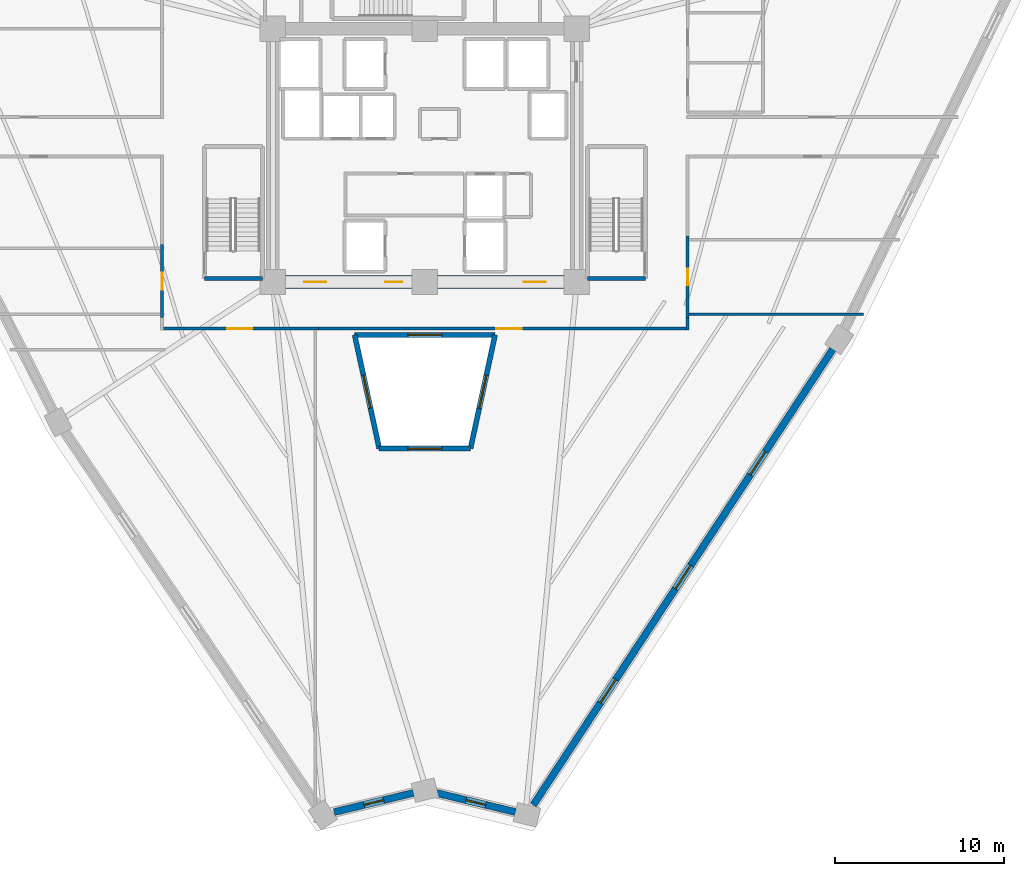
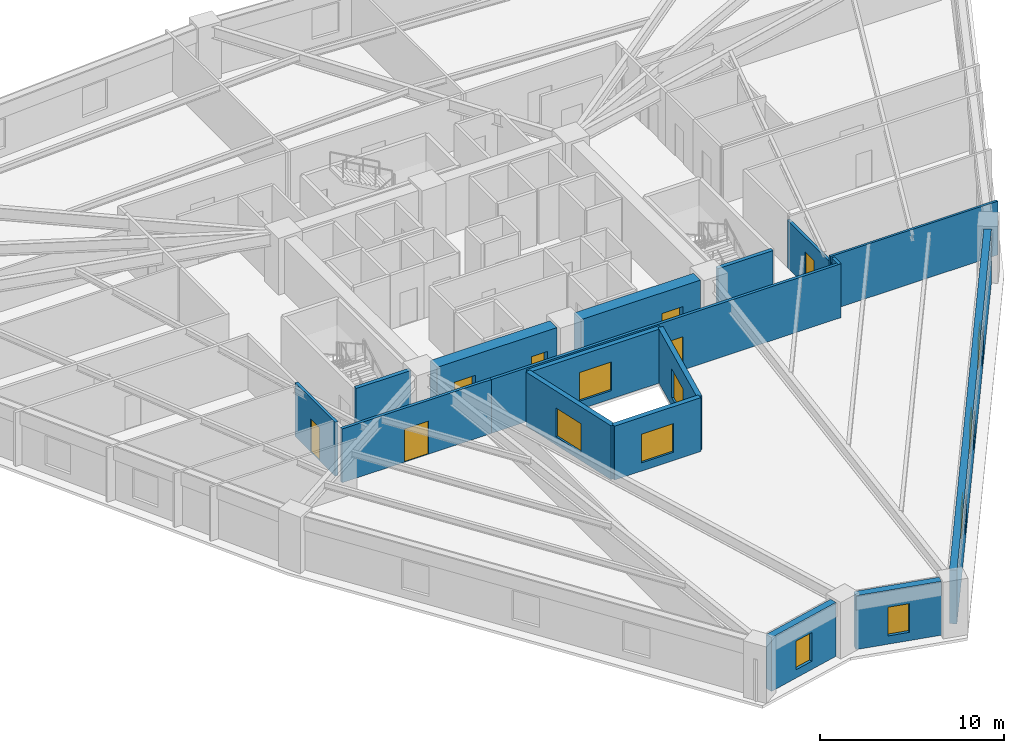
# One storey, part 3 of 8: 17 walls, 9 windows, 7 doors, 16 openings.
"""IFC4 building model written with IfcOpenShell, lengths in metres."""

import ifcopenshell
import ifcopenshell.guid

model = None  # the IFC model being written
_history = None  # IfcOwnerHistory: only IFC2X3 demands one
_inside = {}  # id of a spatial element -> (the spatial element, [elements in it])
_under = {}  # id of a project, library or spatial element -> (it, [spatial elements below it])
_declared = {}  # id of a project -> (the project, [libraries it declares])
_typed = {}  # id of a type object -> (the type object, [elements of that type])
_made_of = {}  # id of a material, layer set ... -> (it, [elements and type objects made of it])


def new_model(schema):
    """Start an empty IFC model of exactly this schema.

    Asked for "IFC4X3", IfcOpenShell would pick the latest addendum, in which some entities
    have other attributes; the version numbers below select the first issue.
    IFC2X3 requires an IfcOwnerHistory on every rooted entity: one is made here for all.
    """
    global model, _history
    if schema == "IFC4X3":
        model = ifcopenshell.file(schema_version=(4, 3, 0, 0))
    else:
        model = ifcopenshell.file(schema=schema)
    _inside.clear()
    _under.clear()
    _declared.clear()
    _typed.clear()
    _made_of.clear()
    _history = None
    if model.schema == "IFC2X3":
        org = make("IfcOrganization", Name="unknown")
        user = make(
            "IfcPersonAndOrganization",
            ThePerson=make("IfcPerson", FamilyName="unknown"),
            TheOrganization=org,
        )
        app = make(
            "IfcApplication",
            ApplicationDeveloper=org,
            Version="unknown",
            ApplicationFullName="unknown",
            ApplicationIdentifier="unknown",
        )
        _history = make(
            "IfcOwnerHistory",
            OwningUser=user,
            OwningApplication=app,
            ChangeAction="ADDED",
            CreationDate=0,
        )
    return model


def make(cls, **values):
    """One entity of the class cls with the attributes given. An attribute that is None is left unset."""
    return model.create_entity(
        cls, **{name: value for name, value in values.items() if value is not None}
    )


def rooted(cls, **values):
    """An entity with a GlobalId (a new one), such as an element, a storey or a relation."""
    return make(cls, GlobalId=ifcopenshell.guid.new(), OwnerHistory=_history, **values)


def si_unit(unit_type, name, prefix=None):
    """IfcSIUnit, for example si_unit("LENGTHUNIT", "METRE", prefix="MILLI")."""
    return make("IfcSIUnit", UnitType=unit_type, Prefix=prefix, Name=name)


def assignment(units):
    """IfcUnitAssignment: the units of a project."""
    return None if units is None else make("IfcUnitAssignment", Units=units)


def point(xyz):
    """IfcCartesianPoint."""
    return None if xyz is None else make("IfcCartesianPoint", Coordinates=xyz)


def direction(xyz):
    """IfcDirection."""
    return None if xyz is None else make("IfcDirection", DirectionRatios=xyz)


def frame(location, z_axis=None, x_axis=None):
    """IfcAxis2Placement3D, a coordinate frame: its origin and axes. An axis left out is left unset."""
    return make(
        "IfcAxis2Placement3D",
        Location=point(location),
        Axis=direction(z_axis),
        RefDirection=direction(x_axis),
    )


def frame_2d(location, x_axis=None):
    """IfcAxis2Placement2D, a coordinate frame in the plane: its origin and x axis."""
    return make(
        "IfcAxis2Placement2D", Location=point(location), RefDirection=direction(x_axis)
    )


def origin():
    """The frame at (0, 0, 0) with its axes left unset."""
    return frame((0.0, 0.0, 0.0))


def place(relative_to, where):
    """IfcLocalPlacement: puts the frame where relative to a parent placement (None: the world)."""
    return make(
        "IfcLocalPlacement", PlacementRelTo=relative_to, RelativePlacement=where
    )


def context(
    kind, dimensions, precision=None, world=None, true_north=None, identifier=None
):
    """IfcGeometricRepresentationContext, for example the 3D "Model" context."""
    return make(
        "IfcGeometricRepresentationContext",
        ContextIdentifier=identifier,
        ContextType=kind,
        CoordinateSpaceDimension=dimensions,
        Precision=precision,
        WorldCoordinateSystem=world,
        TrueNorth=true_north,
    )


def subcontext(parent, identifier, kind, view, scale=None):
    """IfcGeometricRepresentationSubContext, for example "Body" below "Model"."""
    return make(
        "IfcGeometricRepresentationSubContext",
        ContextIdentifier=identifier,
        ContextType=kind,
        ParentContext=parent,
        TargetScale=scale,
        TargetView=view,
    )


def project(units=None, contexts=None):
    """IfcProject with its units and contexts."""
    return rooted(
        "IfcProject",
        Name="project",
        RepresentationContexts=contexts,
        UnitsInContext=assignment(units),
    )


def spatial(cls, under=None, at=None, **own):
    """A site, building, storey or space (cls), placed at a placement, below another one or the project."""
    s = rooted(cls, ObjectPlacement=at, **own)
    if under is not None:
        _under.setdefault(under.id(), (under, []))[1].append(s)
    return s


def profile(cls, at=None, kind="AREA", **sizes):
    """A parametric profile (cls). Its sizes go by their IFC names, for example OverallWidth=200.0."""
    return make(cls, ProfileType=kind, Position=at, **sizes)


def rectangle(**sizes):
    """IfcRectangleProfileDef."""
    return profile("IfcRectangleProfileDef", **sizes)


def extrude(swept, where, along, depth):
    """IfcExtrudedAreaSolid: the profile swept, set in the frame where, extruded along a direction by depth."""
    return make(
        "IfcExtrudedAreaSolid",
        SweptArea=swept,
        Position=where,
        ExtrudedDirection=direction(along),
        Depth=depth,
    )


def shape(context_of_items, identifier, shape_type, items):
    """IfcShapeRepresentation: the items that make up one representation, for example the "Body"."""
    return make(
        "IfcShapeRepresentation",
        ContextOfItems=context_of_items,
        RepresentationIdentifier=identifier,
        RepresentationType=shape_type,
        Items=items,
    )


def source(mapping_origin, context_of_items, identifier, shape_type, items):
    """IfcRepresentationMap: a shape defined once, which mapped items show again and again."""
    return make(
        "IfcRepresentationMap",
        MappingOrigin=mapping_origin,
        MappedRepresentation=shape(context_of_items, identifier, shape_type, items),
    )


def transform(
    local_origin,
    x_axis=None,
    y_axis=None,
    z_axis=None,
    scale=None,
    scale2=None,
    scale3=None,
    uniform=True,
):
    """IfcCartesianTransformationOperator3D, or its non-uniform kind. x_axis, y_axis, z_axis: its Axis1, 2, 3."""
    if uniform:
        return make(
            "IfcCartesianTransformationOperator3D",
            Axis1=direction(x_axis),
            Axis2=direction(y_axis),
            LocalOrigin=point(local_origin),
            Scale=scale,
            Axis3=direction(z_axis),
        )
    return make(
        "IfcCartesianTransformationOperator3DnonUniform",
        Axis1=direction(x_axis),
        Axis2=direction(y_axis),
        LocalOrigin=point(local_origin),
        Scale=scale,
        Axis3=direction(z_axis),
        Scale2=scale2,
        Scale3=scale3,
    )


def mapped(mapping_source, mapping_target):
    """IfcMappedItem: shows the shape of a source again, moved by a transform."""
    return make(
        "IfcMappedItem", MappingSource=mapping_source, MappingTarget=mapping_target
    )


def material(Name=None, Category=None):
    """IfcMaterial."""
    return make("IfcMaterial", Name=Name, Category=Category)


def layer(
    of_material, thickness, ventilated=None, Name=None, Category=None, Priority=None
):
    """IfcMaterialLayer: one layer of a wall or slab, of a material (None: an air gap)."""
    return make(
        "IfcMaterialLayer",
        Material=of_material,
        LayerThickness=thickness,
        IsVentilated=ventilated,
        Name=Name,
        Category=Category,
        Priority=Priority,
    )


def layer_set(layers, Name=None):
    """IfcMaterialLayerSet."""
    return make("IfcMaterialLayerSet", MaterialLayers=layers, LayerSetName=Name)


def made_of(thing, what):
    """Note that an element or type object is made of a material, layer set ...; save() writes the relation."""
    if what is not None:
        _made_of.setdefault(what.id(), (what, []))[1].append(thing)
    return thing


def type_object(cls, material=None, **own):
    """A type object (cls), such as IfcWallType, which elements share."""
    return made_of(rooted(cls, **own), material)


def element(
    cls,
    number,
    at=None,
    inside=None,
    cuts=None,
    type_object=None,
    material=None,
    context=None,
    identifier="Body",
    shape_type=None,
    held_by="IfcProductDefinitionShape",
    body=None,
    shapes=None,
    **own,
):
    """One element of the class cls, such as IfcWall. Its Tag is "e" and its number.

    at: its placement. inside: the storey or other place that contains it. cuts: it is an
    opening in that element (IfcRelVoidsElement). A single representation is given by context,
    identifier, shape_type and body (its items); several are given by shapes. held_by: the class
    of the entity that holds the representations. save() writes the other relations.
    """
    e = rooted(cls, Tag="e%d" % number, ObjectPlacement=at, **own)
    if body is not None:
        shapes = [shape(context, identifier, shape_type, body)]
    if shapes is not None:
        e.Representation = make(held_by, Representations=shapes)
    if inside is not None:
        _inside.setdefault(inside.id(), (inside, []))[1].append(e)
    if cuts is not None:
        rooted(
            "IfcRelVoidsElement", RelatingBuildingElement=cuts, RelatedOpeningElement=e
        )
    if type_object is not None:
        _typed.setdefault(type_object.id(), (type_object, []))[1].append(e)
    return made_of(e, material)


def fill(opening, filler):
    """IfcRelFillsElement: the door or window that sits in an opening."""
    return rooted(
        "IfcRelFillsElement",
        RelatingOpeningElement=opening,
        RelatedBuildingElement=filler,
    )


def aggregate(whole, parts):
    """IfcRelAggregates: a whole, such as a stair, and the parts it consists of."""
    return rooted("IfcRelAggregates", RelatingObject=whole, RelatedObjects=parts)


def save(model, path):
    """Write the relations noted so far, then the file.

    IfcRelAggregates (storeys below a building ...), IfcRelContainedInSpatialStructure (elements
    in a storey), IfcRelDefinesByType, IfcRelAssociatesMaterial and IfcRelDeclares: one each for
    every whole, place, type object, material and project.
    """
    for whole, parts in _under.values():
        aggregate(whole, parts)
    for where, things in _inside.values():
        rooted(
            "IfcRelContainedInSpatialStructure",
            RelatedElements=things,
            RelatingStructure=where,
        )
    for kind, things in _typed.values():
        rooted("IfcRelDefinesByType", RelatedObjects=things, RelatingType=kind)
    for what, things in _made_of.values():
        rooted("IfcRelAssociatesMaterial", RelatedObjects=things, RelatingMaterial=what)
    for by, libraries in _declared.values():
        rooted("IfcRelDeclares", RelatingContext=by, RelatedDefinitions=libraries)
    model.write(path)


model = new_model("IFC4")

# Units and contexts
model_context = context("Model", 3, precision=1e-05, world=origin(), true_north=direction((0.0, 1.0)))
body_context = subcontext(model_context, "Body", "Model", "MODEL_VIEW")
ifc_project = project(units=[si_unit("LENGTHUNIT", "METRE"), si_unit("AREAUNIT", "SQUARE_METRE"), si_unit("VOLUMEUNIT", "CUBIC_METRE"), si_unit("PLANEANGLEUNIT", "RADIAN"), si_unit("MASSUNIT", "GRAM", prefix="KILO")], contexts=[model_context])

# Site, building, storey
site_placement = place(None, origin())
site = spatial("IfcSite", under=ifc_project, at=site_placement, CompositionType="ELEMENT")
building_placement = place(site_placement, origin())
building = spatial("IfcBuilding", under=site, at=building_placement, Name="Liaohun Quay Tower", CompositionType="ELEMENT")
storey_placement = place(building_placement, frame((0.0, 0.0, 109.5)))
storey = spatial("IfcBuildingStorey", under=building, at=storey_placement, Name="L28", CompositionType="ELEMENT", Elevation=109.5)

# Wall, opening, window
ifc_material_1 = material(Name="Concrete C50", Category="concrete")
ifc_layer_1 = layer(ifc_material_1, 0.300048828125, Name="Concrete C50", Category="concrete")
ifc_layer_set_1 = layer_set([ifc_layer_1], Name="Concrete C50")
wall_type_1 = type_object("IfcWallType", Name="WAL-ATR-300", PredefinedType="SOLIDWALL", material=ifc_layer_set_1)
wall_1_placement = place(storey_placement, frame((57.297119140625, 36.637939453125, 0.0), z_axis=(0.0, 0.0, 1.0), x_axis=(-0.211395025219, 0.977400707649, 0.0)))
wall_1 = element("IfcWall", 1, at=wall_1_placement, inside=storey, type_object=wall_type_1, Name="L28 Atrium Fire Compartment Wall 1", PredefinedType="SOLIDWALL", context=body_context, shape_type="SweptSolid", body=[
    extrude(rectangle(XDim=6.887939453125, YDim=0.300048828125, at=frame_2d((3.44384765625, 0.0))), origin(), (0.0, 0.0, 1.0), 3.570068359375),
])
shared_shape_1 = source(origin(), body_context, "Body", "SweptSolid", [
    extrude(rectangle(XDim=2.0, YDim=1.89990234375, at=frame_2d((1.0, 0.949951171875))), frame((0.0, 0.159912109375, 0.0), z_axis=(0.0, -1.0, 0.0), x_axis=(1.0, 0.0, 0.0)), (0.0, 0.0, 1.0), 0.320068359375),
])
opening_1_placement = place(wall_1_placement, frame((2.444091796875, 0.0, 0.550048828125)))
opening_1 = element("IfcOpeningElement", 2, at=opening_1_placement, cuts=wall_1, Name="Opening W07", PredefinedType="OPENING", context=body_context, shape_type="MappedRepresentation", body=[
    mapped(shared_shape_1, transform((0.0, 0.0, 0.0), x_axis=(1.0, 0.0, 0.0), y_axis=(0.0, 1.0, 0.0), z_axis=(0.0, 0.0, 1.0), scale=1.0)),
])
ifc_material_2 = material(Name="Class A 180-min fire-resistant insulated glazing", Category="glass")
window_type_1 = type_object("IfcWindowType", Name="WIN-ATR-FIR", PartitioningType="DOUBLE_PANEL_VERTICAL", PredefinedType="WINDOW", material=ifc_material_2)
shared_shape_2 = source(origin(), body_context, "Body", "SweptSolid", [
    extrude(rectangle(XDim=2.0, YDim=1.89990234375, at=frame_2d((1.0, 0.949951171875))), frame((0.0, 0.030029296875, 0.0), z_axis=(0.0, -1.0, 0.0), x_axis=(1.0, 0.0, 0.0)), (0.0, 0.0, 1.0), 0.06005859375),
])
window_1_placement = place(opening_1_placement, origin())
window_1 = element("IfcWindow", 3, at=window_1_placement, inside=storey, type_object=window_type_1, Name="L28 Atrium Fire-Resistant Glazing W07-1", OverallHeight=1.89990234375, OverallWidth=2.0, PartitioningType="DOUBLE_PANEL_VERTICAL", PredefinedType="WINDOW", context=body_context, shape_type="MappedRepresentation", body=[
    mapped(shared_shape_2, transform((0.0, 0.0, 0.0), x_axis=(1.0, 0.0, 0.0), y_axis=(0.0, 1.0, 0.0), z_axis=(0.0, 0.0, 1.0), scale=1.0)),
])
fill(opening_1, window_1)

wall_2_placement = place(storey_placement, frame((55.841064453125, 43.3701171875, 0.0), z_axis=(0.0, 0.0, 1.0), x_axis=(1.0, 0.0, 0.0)))
wall_2 = element("IfcWall", 4, at=wall_2_placement, inside=storey, type_object=wall_type_1, Name="L28 Atrium Fire Compartment Wall 2", PredefinedType="SOLIDWALL", context=body_context, shape_type="SweptSolid", body=[
    extrude(rectangle(XDim=8.31787109375, YDim=0.300048828125, at=frame_2d((4.158935546875, 0.0))), origin(), (0.0, 0.0, 1.0), 3.570068359375),
])
opening_2_placement = place(wall_2_placement, frame((3.158935546875, 0.0, 0.550048828125)))
opening_2 = element("IfcOpeningElement", 5, at=opening_2_placement, cuts=wall_2, Name="Opening W07", PredefinedType="OPENING", context=body_context, shape_type="MappedRepresentation", body=[
    mapped(shared_shape_1, transform((0.0, 0.0, 0.0), x_axis=(1.0, 0.0, 0.0), y_axis=(0.0, 1.0, 0.0), z_axis=(0.0, 0.0, 1.0), scale=1.0)),
])
window_2_placement = place(opening_2_placement, origin())
window_2 = element("IfcWindow", 6, at=window_2_placement, inside=storey, type_object=window_type_1, Name="L28 Atrium Fire-Resistant Glazing W07-2", OverallHeight=1.89990234375, OverallWidth=2.0, PartitioningType="DOUBLE_PANEL_VERTICAL", PredefinedType="WINDOW", context=body_context, shape_type="MappedRepresentation", body=[
    mapped(shared_shape_2, transform((0.0, 0.0, 0.0), x_axis=(1.0, 0.0, 0.0), y_axis=(0.0, 1.0, 0.0), z_axis=(0.0, 0.0, 1.0), scale=1.0)),
])
fill(opening_2, window_2)

wall_3_placement = place(storey_placement, frame((64.158935546875, 43.3701171875, 0.0), z_axis=(0.0, 0.0, 1.0), x_axis=(-0.211395025219, -0.977400707649, 0.0)))
wall_3 = element("IfcWall", 7, at=wall_3_placement, inside=storey, type_object=wall_type_1, Name="L28 Atrium Fire Compartment Wall 3", PredefinedType="SOLIDWALL", context=body_context, shape_type="SweptSolid", body=[
    extrude(rectangle(XDim=6.887939453125, YDim=0.300048828125, at=frame_2d((3.44384765625, 0.0))), origin(), (0.0, 0.0, 1.0), 3.570068359375),
])
opening_3_placement = place(wall_3_placement, frame((2.444091796875, 0.0, 0.550048828125)))
opening_3 = element("IfcOpeningElement", 8, at=opening_3_placement, cuts=wall_3, Name="Opening W07", PredefinedType="OPENING", context=body_context, shape_type="MappedRepresentation", body=[
    mapped(shared_shape_1, transform((0.0, 0.0, 0.0), x_axis=(1.0, 0.0, 0.0), y_axis=(0.0, 1.0, 0.0), z_axis=(0.0, 0.0, 1.0), scale=1.0)),
])
window_3_placement = place(opening_3_placement, origin())
window_3 = element("IfcWindow", 9, at=window_3_placement, inside=storey, type_object=window_type_1, Name="L28 Atrium Fire-Resistant Glazing W07-3", OverallHeight=1.89990234375, OverallWidth=2.0, PartitioningType="DOUBLE_PANEL_VERTICAL", PredefinedType="WINDOW", context=body_context, shape_type="MappedRepresentation", body=[
    mapped(shared_shape_2, transform((0.0, 0.0, 0.0), x_axis=(1.0, 0.0, 0.0), y_axis=(0.0, 1.0, 0.0), z_axis=(0.0, 0.0, 1.0), scale=1.0)),
])
fill(opening_3, window_3)

wall_4_placement = place(storey_placement, frame((62.702880859375, 36.637939453125, 0.0), z_axis=(0.0, 0.0, 1.0), x_axis=(-1.0, 0.0, 0.0)))
wall_4 = element("IfcWall", 10, at=wall_4_placement, inside=storey, type_object=wall_type_1, Name="L28 Atrium Fire Compartment Wall 4", PredefinedType="SOLIDWALL", context=body_context, shape_type="SweptSolid", body=[
    extrude(rectangle(XDim=5.40576171875, YDim=0.300048828125, at=frame_2d((2.702880859375, 0.0))), origin(), (0.0, 0.0, 1.0), 3.570068359375),
])
opening_4_placement = place(wall_4_placement, frame((1.702880859375, 0.0, 0.550048828125)))
opening_4 = element("IfcOpeningElement", 11, at=opening_4_placement, cuts=wall_4, Name="Opening W07", PredefinedType="OPENING", context=body_context, shape_type="MappedRepresentation", body=[
    mapped(shared_shape_1, transform((0.0, 0.0, 0.0), x_axis=(1.0, 0.0, 0.0), y_axis=(0.0, 1.0, 0.0), z_axis=(0.0, 0.0, 1.0), scale=1.0)),
])
window_4_placement = place(opening_4_placement, origin())
window_4 = element("IfcWindow", 12, at=window_4_placement, inside=storey, type_object=window_type_1, Name="L28 Atrium Fire-Resistant Glazing W07-4", OverallHeight=1.89990234375, OverallWidth=2.0, PartitioningType="DOUBLE_PANEL_VERTICAL", PredefinedType="WINDOW", context=body_context, shape_type="MappedRepresentation", body=[
    mapped(shared_shape_2, transform((0.0, 0.0, 0.0), x_axis=(1.0, 0.0, 0.0), y_axis=(0.0, 1.0, 0.0), z_axis=(0.0, 0.0, 1.0), scale=1.0)),
])
fill(opening_4, window_4)

# Wall, opening, door
ifc_material_3 = material(Name="Concrete C60", Category="concrete")
ifc_layer_2 = layer(ifc_material_3, 0.75, Name="Concrete C60", Category="concrete")
ifc_layer_set_2 = layer_set([ifc_layer_2], Name="Concrete C60")
wall_type_2 = type_object("IfcWallType", Name="WAL-COR-Z2", PredefinedType="SHEAR", material=ifc_layer_set_2)
wall_5_placement = place(storey_placement, frame((68.25, 46.5, 0.0), z_axis=(0.0, 0.0, 1.0), x_axis=(-1.0, 0.0, 0.0)))
wall_5 = element("IfcWall", 13, at=wall_5_placement, inside=storey, type_object=wall_type_2, Name="L28 Central Core Shear Wall S-E", PredefinedType="SHEAR", context=body_context, shape_type="SweptSolid", body=[
    extrude(rectangle(XDim=7.5, YDim=0.75, at=frame_2d((3.75, 0.0))), origin(), (0.0, 0.0, 1.0), 3.570068359375),
])
shared_shape_3 = source(origin(), body_context, "Body", "SweptSolid", [
    extrude(rectangle(XDim=1.300048828125, YDim=2.199951171875, at=frame_2d((0.64990234375, 1.10009765625))), frame((0.0, 0.385009765625, 0.0), z_axis=(0.0, -1.0, 0.0), x_axis=(1.0, 0.0, 0.0)), (0.0, 0.0, 1.0), 0.77001953125),
])
opening_5_placement = place(wall_5_placement, frame((1.10009765625, 0.0, 0.0)))
opening_5 = element("IfcOpeningElement", 14, at=opening_5_placement, cuts=wall_5, Name="Opening FD1", PredefinedType="OPENING", context=body_context, shape_type="MappedRepresentation", body=[
    mapped(shared_shape_3, transform((0.0, 0.0, 0.0), x_axis=(1.0, 0.0, 0.0), y_axis=(0.0, 1.0, 0.0), z_axis=(0.0, 0.0, 1.0), scale=1.0)),
])
ifc_material_4 = material(Name="Galvanised steel smokeproof fire door", Category="steel")
door_type_1 = type_object("IfcDoorType", Name="DOR-FFL-1300", OperationType="NOTDEFINED", PredefinedType="DOOR", material=ifc_material_4)
shared_shape_4 = source(origin(), body_context, "Body", "SweptSolid", [
    extrude(rectangle(XDim=1.300048828125, YDim=2.199951171875, at=frame_2d((0.64990234375, 1.10009765625))), frame((0.0, 0.02490234375, 0.0), z_axis=(0.0, -1.0, 0.0), x_axis=(1.0, 0.0, 0.0)), (0.0, 0.0, 1.0), 0.050048828125),
])
door_1_placement = place(opening_5_placement, origin())
door_1 = element("IfcDoor", 15, at=door_1_placement, inside=storey, type_object=door_type_1, Name="L28 East Core Lift Lobby Smokeproof Door", OperationType="SINGLE_SWING_LEFT", OverallHeight=2.199951171875, OverallWidth=1.300048828125, PredefinedType="DOOR", context=body_context, shape_type="MappedRepresentation", body=[
    mapped(shared_shape_4, transform((0.0, 0.0, 0.0), x_axis=(1.0, 0.0, 0.0), y_axis=(0.0, 1.0, 0.0), z_axis=(0.0, 0.0, 1.0), scale=1.0)),
])
fill(opening_5, door_1)

# Wall, openings, doors
wall_6_placement = place(storey_placement, frame((59.25, 46.5, 0.0), z_axis=(0.0, 0.0, 1.0), x_axis=(-1.0, 0.0, 0.0)))
wall_6 = element("IfcWall", 16, at=wall_6_placement, inside=storey, type_object=wall_type_2, Name="L28 Central Core Shear Wall S-W", PredefinedType="SHEAR", context=body_context, shape_type="SweptSolid", body=[
    extrude(rectangle(XDim=7.5, YDim=0.75, at=frame_2d((3.75, 0.0))), origin(), (0.0, 0.0, 1.0), 3.570068359375),
])
opening_6_placement = place(wall_6_placement, frame((5.10009765625, 0.0, 0.0)))
opening_6 = element("IfcOpeningElement", 17, at=opening_6_placement, cuts=wall_6, Name="Opening FD1", PredefinedType="OPENING", context=body_context, shape_type="MappedRepresentation", body=[
    mapped(shared_shape_3, transform((0.0, 0.0, 0.0), x_axis=(1.0, 0.0, 0.0), y_axis=(0.0, 1.0, 0.0), z_axis=(0.0, 0.0, 1.0), scale=1.0)),
])
shared_shape_5 = source(origin(), body_context, "Body", "SweptSolid", [
    extrude(rectangle(XDim=1.0, YDim=2.199951171875, at=frame_2d((0.5, 1.10009765625))), frame((0.0, 0.385009765625, 0.0), z_axis=(0.0, -1.0, 0.0), x_axis=(1.0, 0.0, 0.0)), (0.0, 0.0, 1.0), 0.77001953125),
])
opening_7_placement = place(wall_6_placement, frame((0.60009765625, 0.0, 0.0)))
opening_7 = element("IfcOpeningElement", 18, at=opening_7_placement, cuts=wall_6, Name="Opening FD2", PredefinedType="OPENING", context=body_context, shape_type="MappedRepresentation", body=[
    mapped(shared_shape_5, transform((0.0, 0.0, 0.0), x_axis=(1.0, 0.0, 0.0), y_axis=(0.0, 1.0, 0.0), z_axis=(0.0, 0.0, 1.0), scale=1.0)),
])
door_2_placement = place(opening_6_placement, origin())
door_2 = element("IfcDoor", 19, at=door_2_placement, inside=storey, type_object=door_type_1, Name="L28 West Core Lift Lobby Smokeproof Door", OperationType="SINGLE_SWING_RIGHT", OverallHeight=2.199951171875, OverallWidth=1.300048828125, PredefinedType="DOOR", context=body_context, shape_type="MappedRepresentation", body=[
    mapped(shared_shape_4, transform((0.0, 0.0, 0.0), x_axis=(1.0, 0.0, 0.0), y_axis=(0.0, 1.0, 0.0), z_axis=(0.0, 0.0, 1.0), scale=1.0)),
])
fill(opening_6, door_2)
ifc_material_5 = material(Name="Galvanised steel smokeproof lobby fire door", Category="steel")
door_type_2 = type_object("IfcDoorType", Name="DOR-FFL-1000", OperationType="NOTDEFINED", PredefinedType="DOOR", material=ifc_material_5)
shared_shape_6 = source(origin(), body_context, "Body", "SweptSolid", [
    extrude(rectangle(XDim=1.0, YDim=2.199951171875, at=frame_2d((0.5, 1.10009765625))), frame((0.0, 0.02490234375, 0.0), z_axis=(0.0, -1.0, 0.0), x_axis=(1.0, 0.0, 0.0)), (0.0, 0.0, 1.0), 0.050048828125),
])
door_3_placement = place(opening_7_placement, origin())
door_3 = element("IfcDoor", 20, at=door_3_placement, inside=storey, type_object=door_type_2, Name="L28 South Firefighting Lobby Smokeproof Door", OperationType="SINGLE_SWING_LEFT", OverallHeight=2.199951171875, OverallWidth=1.0, PredefinedType="DOOR", context=body_context, shape_type="MappedRepresentation", body=[
    mapped(shared_shape_6, transform((0.0, 0.0, 0.0), x_axis=(1.0, 0.0, 0.0), y_axis=(0.0, 1.0, 0.0), z_axis=(0.0, 0.0, 1.0), scale=1.0)),
])
fill(opening_7, door_3)

# Wall, opening, window
ifc_material_6 = material(Name="Precast concrete C50 insulated sandwich", Category="concrete")
ifc_layer_3 = layer(ifc_material_6, 0.419921875, Name="Precast concrete C50 insulated sandwich", Category="concrete")
ifc_layer_set_3 = layer_set([ifc_layer_3], Name="Precast concrete C50 insulated sandwich")
wall_type_3 = type_object("IfcWallType", Name="WAL-EXT-Z12", PredefinedType="SOLIDWALL", material=ifc_layer_set_3)
wall_7_placement = place(storey_placement, frame((60.6708984375, 16.2490234375, 0.0), z_axis=(0.0, 0.0, 1.0), x_axis=(0.972069490492, -0.234693216037, 0.0)))
wall_7 = element("IfcWall", 21, at=wall_7_placement, inside=storey, type_object=wall_type_3, Name="L28 Brutalist Precast Pier Wall 01", PredefinedType="SOLIDWALL", context=body_context, shape_type="SweptSolid", body=[
    extrude(rectangle(XDim=4.83203125, YDim=0.419921875, at=frame_2d((2.416015625, 0.0))), origin(), (0.0, 0.0, 1.0), 3.570068359375),
])
shared_shape_7 = source(origin(), body_context, "Body", "SweptSolid", [
    extrude(rectangle(XDim=1.199951171875, YDim=1.89990234375, at=frame_2d((0.60009765625, 0.949951171875))), frame((0.0, 0.219970703125, 0.0), z_axis=(0.0, -1.0, 0.0), x_axis=(1.0, 0.0, 0.0)), (0.0, 0.0, 1.0), 0.43994140625),
])
opening_8_placement = place(wall_7_placement, frame((1.81591796875, 0.0, 0.550048828125)))
opening_8 = element("IfcOpeningElement", 22, at=opening_8_placement, cuts=wall_7, Name="Opening W05", PredefinedType="OPENING", context=body_context, shape_type="MappedRepresentation", body=[
    mapped(shared_shape_7, transform((0.0, 0.0, 0.0), x_axis=(1.0, 0.0, 0.0), y_axis=(0.0, 1.0, 0.0), z_axis=(0.0, 0.0, 1.0), scale=1.0)),
])
ifc_material_7 = material(Name="Triple Low-E corner notch glazing", Category="glass")
window_type_2 = type_object("IfcWindowType", Name="WIN-NOTCH", PartitioningType="SINGLE_PANEL", PredefinedType="WINDOW", material=ifc_material_7)
shared_shape_8 = source(origin(), body_context, "Body", "SweptSolid", [
    extrude(rectangle(XDim=1.199951171875, YDim=1.89990234375, at=frame_2d((0.60009765625, 0.949951171875))), frame((0.0, 0.030029296875, 0.0), z_axis=(0.0, -1.0, 0.0), x_axis=(1.0, 0.0, 0.0)), (0.0, 0.0, 1.0), 0.06005859375),
])
window_5_placement = place(opening_8_placement, origin())
window_5 = element("IfcWindow", 23, at=window_5_placement, inside=storey, type_object=window_type_2, Name="L28 Corner Notch Window W05-01", OverallHeight=1.89990234375, OverallWidth=1.199951171875, PartitioningType="SINGLE_PANEL", PredefinedType="WINDOW", context=body_context, shape_type="MappedRepresentation", body=[
    mapped(shared_shape_8, transform((0.0, 0.0, 0.0), x_axis=(1.0, 0.0, 0.0), y_axis=(0.0, 1.0, 0.0), z_axis=(0.0, 0.0, 1.0), scale=1.0)),
])
fill(opening_8, window_5)

# Wall, openings, windows
wall_8_placement = place(storey_placement, frame((66.41796875, 15.530029296875, 0.0), z_axis=(0.0, 0.0, 1.0), x_axis=(0.549159785608, 0.835717374398, 0.0)))
wall_8 = element("IfcWall", 24, at=wall_8_placement, inside=storey, type_object=wall_type_3, Name="L28 Brutalist Precast Pier Wall 02", PredefinedType="SOLIDWALL", context=body_context, shape_type="SweptSolid", body=[
    extrude(rectangle(XDim=32.296875, YDim=0.419921875, at=frame_2d((16.1484375, 0.0))), origin(), (0.0, 0.0, 1.0), 3.570068359375),
])
shared_shape_9 = source(origin(), body_context, "Body", "SweptSolid", [
    extrude(rectangle(XDim=1.64990234375, YDim=1.949951171875, at=frame_2d((0.824951171875, 0.97509765625))), frame((0.0, 0.219970703125, 0.0), z_axis=(0.0, -1.0, 0.0), x_axis=(1.0, 0.0, 0.0)), (0.0, 0.0, 1.0), 0.43994140625),
])
opening_9_placement = place(wall_8_placement, frame((7.2490234375, 0.0, 0.550048828125)))
opening_9 = element("IfcOpeningElement", 25, at=opening_9_placement, cuts=wall_8, Name="Opening W02", PredefinedType="OPENING", context=body_context, shape_type="MappedRepresentation", body=[
    mapped(shared_shape_9, transform((0.0, 0.0, 0.0), x_axis=(1.0, 0.0, 0.0), y_axis=(0.0, 1.0, 0.0), z_axis=(0.0, 0.0, 1.0), scale=1.0)),
])
opening_10_placement = place(wall_8_placement, frame((15.322998046875, 0.0, 0.550048828125)))
opening_10 = element("IfcOpeningElement", 26, at=opening_10_placement, cuts=wall_8, Name="Opening W02", PredefinedType="OPENING", context=body_context, shape_type="MappedRepresentation", body=[
    mapped(shared_shape_9, transform((0.0, 0.0, 0.0), x_axis=(1.0, 0.0, 0.0), y_axis=(0.0, 1.0, 0.0), z_axis=(0.0, 0.0, 1.0), scale=1.0)),
])
opening_11_placement = place(wall_8_placement, frame((23.39794921875, 0.0, 0.550048828125)))
opening_11 = element("IfcOpeningElement", 27, at=opening_11_placement, cuts=wall_8, Name="Opening W02", PredefinedType="OPENING", context=body_context, shape_type="MappedRepresentation", body=[
    mapped(shared_shape_9, transform((0.0, 0.0, 0.0), x_axis=(1.0, 0.0, 0.0), y_axis=(0.0, 1.0, 0.0), z_axis=(0.0, 0.0, 1.0), scale=1.0)),
])
ifc_material_8 = material(Name="Triple Low-E argon glazing in thermally broken aluminium", Category="aluminium")
window_type_3 = type_object("IfcWindowType", Name="WIN-PUN-Z2", PartitioningType="DOUBLE_PANEL_VERTICAL", PredefinedType="WINDOW", material=ifc_material_8)
shared_shape_10 = source(origin(), body_context, "Body", "SweptSolid", [
    extrude(rectangle(XDim=1.64990234375, YDim=1.949951171875, at=frame_2d((0.824951171875, 0.97509765625))), frame((0.0, 0.030029296875, 0.0), z_axis=(0.0, -1.0, 0.0), x_axis=(1.0, 0.0, 0.0)), (0.0, 0.0, 1.0), 0.06005859375),
])
window_6_placement = place(opening_9_placement, origin())
window_6 = element("IfcWindow", 28, at=window_6_placement, inside=storey, type_object=window_type_3, Name="L28 Recessed Cold-Climate Punched Window 02-1", OverallHeight=1.949951171875, OverallWidth=1.64990234375, PartitioningType="DOUBLE_PANEL_VERTICAL", PredefinedType="WINDOW", context=body_context, shape_type="MappedRepresentation", body=[
    mapped(shared_shape_10, transform((0.0, 0.0, 0.0), x_axis=(1.0, 0.0, 0.0), y_axis=(0.0, 1.0, 0.0), z_axis=(0.0, 0.0, 1.0), scale=1.0)),
])
fill(opening_9, window_6)
window_7_placement = place(opening_10_placement, origin())
window_7 = element("IfcWindow", 29, at=window_7_placement, inside=storey, type_object=window_type_3, Name="L28 Recessed Cold-Climate Punched Window 02-2", OverallHeight=1.949951171875, OverallWidth=1.64990234375, PartitioningType="DOUBLE_PANEL_VERTICAL", PredefinedType="WINDOW", context=body_context, shape_type="MappedRepresentation", body=[
    mapped(shared_shape_10, transform((0.0, 0.0, 0.0), x_axis=(1.0, 0.0, 0.0), y_axis=(0.0, 1.0, 0.0), z_axis=(0.0, 0.0, 1.0), scale=1.0)),
])
fill(opening_10, window_7)
window_8_placement = place(opening_11_placement, origin())
window_8 = element("IfcWindow", 30, at=window_8_placement, inside=storey, type_object=window_type_3, Name="L28 Recessed Cold-Climate Punched Window 02-3", OverallHeight=1.949951171875, OverallWidth=1.64990234375, PartitioningType="DOUBLE_PANEL_VERTICAL", PredefinedType="WINDOW", context=body_context, shape_type="MappedRepresentation", body=[
    mapped(shared_shape_10, transform((0.0, 0.0, 0.0), x_axis=(1.0, 0.0, 0.0), y_axis=(0.0, 1.0, 0.0), z_axis=(0.0, 0.0, 1.0), scale=1.0)),
])
fill(opening_11, window_8)

# Wall, opening, window
wall_9_placement = place(storey_placement, frame((54.625, 15.113037109375, 0.0), z_axis=(0.0, 0.0, 1.0), x_axis=(0.972057999052, 0.234740807016, 0.0)))
wall_9 = element("IfcWall", 31, at=wall_9_placement, inside=storey, type_object=wall_type_3, Name="L28 Brutalist Precast Pier Wall 12", PredefinedType="SOLIDWALL", context=body_context, shape_type="SweptSolid", body=[
    extrude(rectangle(XDim=4.83935546875, YDim=0.419921875, at=frame_2d((2.419677734375, 0.0))), origin(), (0.0, 0.0, 1.0), 3.570068359375),
])
opening_12_placement = place(wall_9_placement, frame((1.820068359375, 0.0, 0.550048828125)))
opening_12 = element("IfcOpeningElement", 32, at=opening_12_placement, cuts=wall_9, Name="Opening W05", PredefinedType="OPENING", context=body_context, shape_type="MappedRepresentation", body=[
    mapped(shared_shape_7, transform((0.0, 0.0, 0.0), x_axis=(1.0, 0.0, 0.0), y_axis=(0.0, 1.0, 0.0), z_axis=(0.0, 0.0, 1.0), scale=1.0)),
])
window_9_placement = place(opening_12_placement, origin())
window_9 = element("IfcWindow", 33, at=window_9_placement, inside=storey, type_object=window_type_2, Name="L28 Corner Notch Window W05-12", OverallHeight=1.89990234375, OverallWidth=1.199951171875, PartitioningType="SINGLE_PANEL", PredefinedType="WINDOW", context=body_context, shape_type="MappedRepresentation", body=[
    mapped(shared_shape_8, transform((0.0, 0.0, 0.0), x_axis=(1.0, 0.0, 0.0), y_axis=(0.0, 1.0, 0.0), z_axis=(0.0, 0.0, 1.0), scale=1.0)),
])
fill(opening_12, window_9)

# Wall, opening, door
ifc_material_9 = material(Name="Autoclaved aerated concrete blockwork", Category="masonry")
ifc_layer_4 = layer(ifc_material_9, 0.179931640625, Name="Autoclaved aerated concrete blockwork", Category="masonry")
ifc_layer_set_4 = layer_set([ifc_layer_4], Name="Autoclaved aerated concrete blockwork")
wall_type_4 = type_object("IfcWallType", Name="WAL-PRT-COR", PredefinedType="PARTITIONING", material=ifc_layer_set_4)
wall_10_placement = place(storey_placement, frame((44.43994140625, 44.385009765625, 0.0), z_axis=(0.0, 0.0, 1.0), x_axis=(0.0, 1.0, 0.0)))
wall_10 = element("IfcWall", 34, at=wall_10_placement, inside=storey, type_object=wall_type_4, Name="L28 Interior Partition Wall 018", PredefinedType="PARTITIONING", context=body_context, shape_type="SweptSolid", body=[
    extrude(rectangle(XDim=4.330078125, YDim=0.179931640625, at=frame_2d((2.1650390625, 0.0))), origin(), (0.0, 0.0, 1.0), 3.570068359375),
])
shared_shape_11 = source(origin(), body_context, "Body", "SweptSolid", [
    extrude(rectangle(XDim=1.0, YDim=2.199951171875, at=frame_2d((0.5, 1.10009765625))), frame((0.0, 0.099853515625, 0.0), z_axis=(0.0, -1.0, 0.0), x_axis=(1.0, 0.0, 0.0)), (0.0, 0.0, 1.0), 0.199951171875),
])
opening_13_placement = place(wall_10_placement, frame((1.6650390625, 0.0, 0.0)))
opening_13 = element("IfcOpeningElement", 35, at=opening_13_placement, cuts=wall_10, Name="Opening OD1", PredefinedType="OPENING", context=body_context, shape_type="MappedRepresentation", body=[
    mapped(shared_shape_11, transform((0.0, 0.0, 0.0), x_axis=(1.0, 0.0, 0.0), y_axis=(0.0, 1.0, 0.0), z_axis=(0.0, 0.0, 1.0), scale=1.0)),
])
ifc_material_10 = material(Name="Solid-core oak veneer timber leaf in steel frame", Category="steel")
door_type_3 = type_object("IfcDoorType", Name="DOR-OFF-1000", OperationType="NOTDEFINED", PredefinedType="DOOR", material=ifc_material_10)
door_4_placement = place(opening_13_placement, origin())
door_4 = element("IfcDoor", 36, at=door_4_placement, inside=storey, type_object=door_type_3, Name="L28 Corporate Exhibition Gallery 08 Door", OperationType="SINGLE_SWING_LEFT", OverallHeight=2.199951171875, OverallWidth=1.0, PredefinedType="DOOR", context=body_context, shape_type="MappedRepresentation", body=[
    mapped(shared_shape_6, transform((0.0, 0.0, 0.0), x_axis=(1.0, 0.0, 0.0), y_axis=(0.0, 1.0, 0.0), z_axis=(0.0, 0.0, 1.0), scale=1.0)),
])
fill(opening_13, door_4)

wall_11_placement = place(storey_placement, frame((53.715087890625, 43.739990234375, 0.0), z_axis=(0.0, 0.0, 1.0), x_axis=(-1.0, 0.0, 0.0)))
wall_11 = element("IfcWall", 37, at=wall_11_placement, inside=storey, type_object=wall_type_4, Name="L28 Interior Partition Wall 019", PredefinedType="PARTITIONING", context=body_context, shape_type="SweptSolid", body=[
    extrude(rectangle(XDim=9.344970703125, YDim=0.179931640625, at=frame_2d((4.67236328125, 0.0))), origin(), (0.0, 0.0, 1.0), 3.570068359375),
])
shared_shape_12 = source(origin(), body_context, "Body", "SweptSolid", [
    extrude(rectangle(XDim=1.5, YDim=2.199951171875, at=frame_2d((0.75, 1.10009765625))), frame((0.0, 0.099853515625, 0.0), z_axis=(0.0, -1.0, 0.0), x_axis=(1.0, 0.0, 0.0)), (0.0, 0.0, 1.0), 0.199951171875),
])
opening_14_placement = place(wall_11_placement, frame((3.923095703125, 0.0, 0.0)))
opening_14 = element("IfcOpeningElement", 38, at=opening_14_placement, cuts=wall_11, Name="Opening OD2", PredefinedType="OPENING", context=body_context, shape_type="MappedRepresentation", body=[
    mapped(shared_shape_12, transform((0.0, 0.0, 0.0), x_axis=(1.0, 0.0, 0.0), y_axis=(0.0, 1.0, 0.0), z_axis=(0.0, 0.0, 1.0), scale=1.0)),
])
ifc_material_11 = material(Name="Acoustic oak veneer double door")
door_type_4 = type_object("IfcDoorType", Name="DOR-OFF-1500", OperationType="DOUBLE_DOOR_SINGLE_SWING", PredefinedType="DOOR", material=ifc_material_11)
shared_shape_13 = source(origin(), body_context, "Body", "SweptSolid", [
    extrude(rectangle(XDim=1.5, YDim=2.199951171875, at=frame_2d((0.75, 1.10009765625))), frame((0.0, 0.02490234375, 0.0), z_axis=(0.0, -1.0, 0.0), x_axis=(1.0, 0.0, 0.0)), (0.0, 0.0, 1.0), 0.050048828125),
])
door_5_placement = place(opening_14_placement, origin())
door_5 = element("IfcDoor", 39, at=door_5_placement, inside=storey, type_object=door_type_4, Name="L28 Records Archive Store 09 Door", OperationType="DOUBLE_DOOR_SINGLE_SWING", OverallHeight=2.199951171875, OverallWidth=1.5, PredefinedType="DOOR", context=body_context, shape_type="MappedRepresentation", body=[
    mapped(shared_shape_13, transform((0.0, 0.0, 0.0), x_axis=(1.0, 0.0, 0.0), y_axis=(0.0, 1.0, 0.0), z_axis=(0.0, 0.0, 1.0), scale=1.0)),
])
fill(opening_14, door_5)

wall_12_placement = place(storey_placement, frame((75.6298828125, 43.739990234375, 0.0), z_axis=(0.0, 0.0, 1.0), x_axis=(-1.0, 0.0, 0.0)))
wall_12 = element("IfcWall", 40, at=wall_12_placement, inside=storey, type_object=wall_type_4, Name="L28 Interior Partition Wall 020", PredefinedType="PARTITIONING", context=body_context, shape_type="SweptSolid", body=[
    extrude(rectangle(XDim=21.914794921875, YDim=0.179931640625, at=frame_2d((10.95751953125, 0.0))), origin(), (0.0, 0.0, 1.0), 3.570068359375),
])
opening_15_placement = place(wall_12_placement, frame((9.906982421875, 0.0, 0.0)))
opening_15 = element("IfcOpeningElement", 41, at=opening_15_placement, cuts=wall_12, Name="Opening OD2", PredefinedType="OPENING", context=body_context, shape_type="MappedRepresentation", body=[
    mapped(shared_shape_12, transform((0.0, 0.0, 0.0), x_axis=(1.0, 0.0, 0.0), y_axis=(0.0, 1.0, 0.0), z_axis=(0.0, 0.0, 1.0), scale=1.0)),
])
door_6_placement = place(opening_15_placement, origin())
door_6 = element("IfcDoor", 42, at=door_6_placement, inside=storey, type_object=door_type_4, Name="L28 Open-Plan Office Workplace 10 Door", OperationType="DOUBLE_DOOR_SINGLE_SWING", OverallHeight=2.199951171875, OverallWidth=1.5, PredefinedType="DOOR", context=body_context, shape_type="MappedRepresentation", body=[
    mapped(shared_shape_13, transform((0.0, 0.0, 0.0), x_axis=(1.0, 0.0, 0.0), y_axis=(0.0, 1.0, 0.0), z_axis=(0.0, 0.0, 1.0), scale=1.0)),
])
fill(opening_15, door_6)

wall_13_placement = place(storey_placement, frame((75.56005859375, 49.215087890625, 0.0), z_axis=(0.0, 0.0, 1.0), x_axis=(0.0, -1.0, 0.0)))
wall_13 = element("IfcWall", 43, at=wall_13_placement, inside=storey, type_object=wall_type_4, Name="L28 Interior Partition Wall 021", PredefinedType="PARTITIONING", context=body_context, shape_type="SweptSolid", body=[
    extrude(rectangle(XDim=4.830078125, YDim=0.179931640625, at=frame_2d((2.4150390625, 0.0))), origin(), (0.0, 0.0, 1.0), 3.155029296875),
])
opening_16_placement = place(wall_13_placement, frame((1.9150390625, 0.0, 0.0)))
opening_16 = element("IfcOpeningElement", 44, at=opening_16_placement, cuts=wall_13, Name="Opening OD1", PredefinedType="OPENING", context=body_context, shape_type="MappedRepresentation", body=[
    mapped(shared_shape_11, transform((0.0, 0.0, 0.0), x_axis=(1.0, 0.0, 0.0), y_axis=(0.0, 1.0, 0.0), z_axis=(0.0, 0.0, 1.0), scale=1.0)),
])
door_7_placement = place(opening_16_placement, origin())
door_7 = element("IfcDoor", 45, at=door_7_placement, inside=storey, type_object=door_type_3, Name="L28 Executive Partner Office 11 Door", OperationType="SINGLE_SWING_RIGHT", OverallHeight=2.199951171875, OverallWidth=1.0, PredefinedType="DOOR", context=body_context, shape_type="MappedRepresentation", body=[
    mapped(shared_shape_6, transform((0.0, 0.0, 0.0), x_axis=(1.0, 0.0, 0.0), y_axis=(0.0, 1.0, 0.0), z_axis=(0.0, 0.0, 1.0), scale=1.0)),
])
fill(opening_16, door_7)

# Walls
wall_14_placement = place(storey_placement, frame((75.56005859375, 44.385009765625, 0.0), z_axis=(0.0, 0.0, 1.0), x_axis=(0.0, -1.0, 0.0)))
element("IfcWall", 46, at=wall_14_placement, inside=storey, type_object=wall_type_4, Name="L28 Interior Partition Wall 043", PredefinedType="PARTITIONING", context=body_context, shape_type="SweptSolid", body=[
    extrude(rectangle(XDim=0.715087890625, YDim=0.179931640625, at=frame_2d((0.357421875, 0.0))), origin(), (0.0, 0.0, 1.0), 3.570068359375),
])
ifc_material_12 = material(Name="Gypsum board on twin steel studs", Category="steel")
ifc_layer_5 = layer(ifc_material_12, 0.139892578125, Name="Gypsum board on twin steel studs", Category="steel")
ifc_layer_set_5 = layer_set([ifc_layer_5], Name="Gypsum board on twin steel studs")
wall_type_5 = type_object("IfcWallType", Name="WAL-PRT-OFF", PredefinedType="PARTITIONING", material=ifc_layer_set_5)
wall_15_placement = place(storey_placement, frame((75.4599609375, 44.60009765625, 0.0), z_axis=(0.0, 0.0, 1.0), x_axis=(1.0, 0.0, 0.0)))
element("IfcWall", 47, at=wall_15_placement, inside=storey, type_object=wall_type_5, Name="L28 Interior Partition Wall 050", PredefinedType="PARTITIONING", context=body_context, shape_type="SweptSolid", body=[
    extrude(rectangle(XDim=10.508056640625, YDim=0.139892578125, at=frame_2d((5.25390625, 0.0))), origin(), (0.0, 0.0, 1.0), 3.570068359375),
])
ifc_layer_6 = layer(ifc_material_1, 0.239990234375, Name="Concrete C50", Category="concrete")
ifc_layer_set_6 = layer_set([ifc_layer_6], Name="Concrete C50")
wall_type_6 = type_object("IfcWallType", Name="WAL-SHF-200", PredefinedType="SOLIDWALL", material=ifc_layer_set_6)
for number, where, z_axis, x_axis, name in (
    (48, (46.93994140625, 46.699951171875, 0.0), (0.0, 0.0, 1.0), (1.0, 0.0, 0.0), "L28 Stairwell ST-1 Structural Core Wall S"),
    (49, (69.6201171875, 46.699951171875, 0.0), (0.0, 0.0, 1.0), (1.0, 0.0, 0.0), "L28 Stairwell ST-2 Structural Core Wall S"),
):
    element("IfcWall", number, at=place(storey_placement, frame(where, z_axis=z_axis, x_axis=x_axis)), inside=storey, type_object=wall_type_6, Name=name, PredefinedType="SOLIDWALL", context=body_context, shape_type="SweptSolid", body=[
        extrude(rectangle(XDim=3.43994140625, YDim=0.239990234375, at=frame_2d((1.719970703125, 0.0))), origin(), (0.0, 0.0, 1.0), 3.570068359375),
    ])

save(model, "model.ifc")
